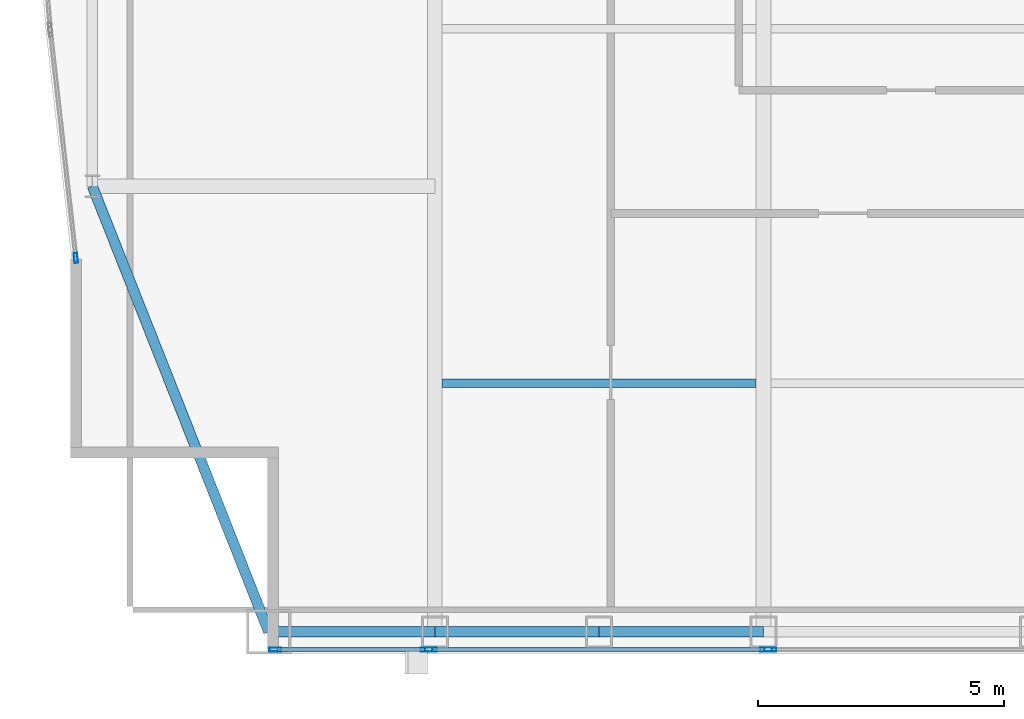
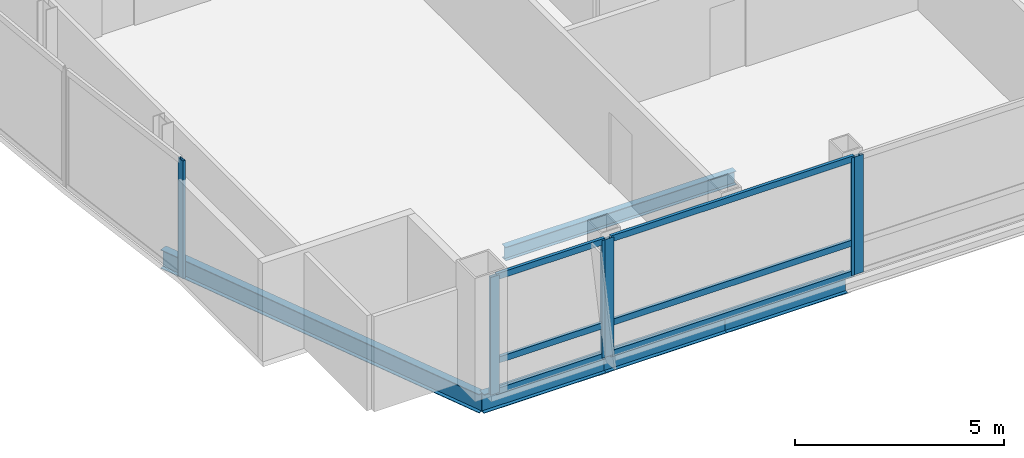
# One storey, part 4 of 25: 12 members, 5 beams, 4 elements without a shape of their own.
"""IFC4 building model written with IfcOpenShell, lengths in metres."""

import ifcopenshell
import ifcopenshell.guid

model = None  # the IFC model being written
_history = None  # IfcOwnerHistory: only IFC2X3 demands one
_inside = {}  # id of a spatial element -> (the spatial element, [elements in it])
_under = {}  # id of a project, library or spatial element -> (it, [spatial elements below it])
_declared = {}  # id of a project -> (the project, [libraries it declares])
_typed = {}  # id of a type object -> (the type object, [elements of that type])
_made_of = {}  # id of a material, layer set ... -> (it, [elements and type objects made of it])


def new_model(schema):
    """Start an empty IFC model of exactly this schema.

    Asked for "IFC4X3", IfcOpenShell would pick the latest addendum, in which some entities
    have other attributes; the version numbers below select the first issue.
    IFC2X3 requires an IfcOwnerHistory on every rooted entity: one is made here for all.
    """
    global model, _history
    if schema == "IFC4X3":
        model = ifcopenshell.file(schema_version=(4, 3, 0, 0))
    else:
        model = ifcopenshell.file(schema=schema)
    _inside.clear()
    _under.clear()
    _declared.clear()
    _typed.clear()
    _made_of.clear()
    _history = None
    if model.schema == "IFC2X3":
        org = make("IfcOrganization", Name="unknown")
        user = make(
            "IfcPersonAndOrganization",
            ThePerson=make("IfcPerson", FamilyName="unknown"),
            TheOrganization=org,
        )
        app = make(
            "IfcApplication",
            ApplicationDeveloper=org,
            Version="unknown",
            ApplicationFullName="unknown",
            ApplicationIdentifier="unknown",
        )
        _history = make(
            "IfcOwnerHistory",
            OwningUser=user,
            OwningApplication=app,
            ChangeAction="ADDED",
            CreationDate=0,
        )
    return model


def make(cls, **values):
    """One entity of the class cls with the attributes given. An attribute that is None is left unset."""
    return model.create_entity(
        cls, **{name: value for name, value in values.items() if value is not None}
    )


def rooted(cls, **values):
    """An entity with a GlobalId (a new one), such as an element, a storey or a relation."""
    return make(cls, GlobalId=ifcopenshell.guid.new(), OwnerHistory=_history, **values)


def si_unit(unit_type, name, prefix=None):
    """IfcSIUnit, for example si_unit("LENGTHUNIT", "METRE", prefix="MILLI")."""
    return make("IfcSIUnit", UnitType=unit_type, Prefix=prefix, Name=name)


def assignment(units):
    """IfcUnitAssignment: the units of a project."""
    return None if units is None else make("IfcUnitAssignment", Units=units)


def point(xyz):
    """IfcCartesianPoint."""
    return None if xyz is None else make("IfcCartesianPoint", Coordinates=xyz)


def direction(xyz):
    """IfcDirection."""
    return None if xyz is None else make("IfcDirection", DirectionRatios=xyz)


def frame(location, z_axis=None, x_axis=None):
    """IfcAxis2Placement3D, a coordinate frame: its origin and axes. An axis left out is left unset."""
    return make(
        "IfcAxis2Placement3D",
        Location=point(location),
        Axis=direction(z_axis),
        RefDirection=direction(x_axis),
    )


def frame_2d(location, x_axis=None):
    """IfcAxis2Placement2D, a coordinate frame in the plane: its origin and x axis."""
    return make(
        "IfcAxis2Placement2D", Location=point(location), RefDirection=direction(x_axis)
    )


def origin():
    """The frame at (0, 0, 0) with its axes left unset."""
    return frame((0.0, 0.0, 0.0))


def origin_2d():
    """The frame at (0, 0) in the plane with its x axis left unset."""
    return frame_2d((0.0, 0.0))


def place(relative_to, where):
    """IfcLocalPlacement: puts the frame where relative to a parent placement (None: the world)."""
    return make(
        "IfcLocalPlacement", PlacementRelTo=relative_to, RelativePlacement=where
    )


def context(
    kind, dimensions, precision=None, world=None, true_north=None, identifier=None
):
    """IfcGeometricRepresentationContext, for example the 3D "Model" context."""
    return make(
        "IfcGeometricRepresentationContext",
        ContextIdentifier=identifier,
        ContextType=kind,
        CoordinateSpaceDimension=dimensions,
        Precision=precision,
        WorldCoordinateSystem=world,
        TrueNorth=true_north,
    )


def subcontext(parent, identifier, kind, view, scale=None):
    """IfcGeometricRepresentationSubContext, for example "Body" below "Model"."""
    return make(
        "IfcGeometricRepresentationSubContext",
        ContextIdentifier=identifier,
        ContextType=kind,
        ParentContext=parent,
        TargetScale=scale,
        TargetView=view,
    )


def project(units=None, contexts=None):
    """IfcProject with its units and contexts."""
    return rooted(
        "IfcProject",
        Name="project",
        RepresentationContexts=contexts,
        UnitsInContext=assignment(units),
    )


def spatial(cls, under=None, at=None, **own):
    """A site, building, storey or space (cls), placed at a placement, below another one or the project."""
    s = rooted(cls, ObjectPlacement=at, **own)
    if under is not None:
        _under.setdefault(under.id(), (under, []))[1].append(s)
    return s


def profile(cls, at=None, kind="AREA", **sizes):
    """A parametric profile (cls). Its sizes go by their IFC names, for example OverallWidth=200.0."""
    return make(cls, ProfileType=kind, Position=at, **sizes)


def hollow_rectangle(**sizes):
    """IfcRectangleHollowProfileDef."""
    return profile("IfcRectangleHollowProfileDef", **sizes)


def i_section(**sizes):
    """IfcIShapeProfileDef."""
    return profile("IfcIShapeProfileDef", **sizes)


def extrude(swept, where, along, depth):
    """IfcExtrudedAreaSolid: the profile swept, set in the frame where, extruded along a direction by depth."""
    return make(
        "IfcExtrudedAreaSolid",
        SweptArea=swept,
        Position=where,
        ExtrudedDirection=direction(along),
        Depth=depth,
    )


def shape(context_of_items, identifier, shape_type, items):
    """IfcShapeRepresentation: the items that make up one representation, for example the "Body"."""
    return make(
        "IfcShapeRepresentation",
        ContextOfItems=context_of_items,
        RepresentationIdentifier=identifier,
        RepresentationType=shape_type,
        Items=items,
    )


def material(Name=None, Category=None):
    """IfcMaterial."""
    return make("IfcMaterial", Name=Name, Category=Category)


def material_profile(
    of_material, cross_section, Name=None, Category=None, Priority=None
):
    """IfcMaterialProfile: a cross section and its material."""
    return make(
        "IfcMaterialProfile",
        Name=Name,
        Material=of_material,
        Profile=cross_section,
        Priority=Priority,
        Category=Category,
    )


def profile_set(profiles, Name=None, composite=None):
    """IfcMaterialProfileSet."""
    return make(
        "IfcMaterialProfileSet",
        Name=Name,
        MaterialProfiles=profiles,
        CompositeProfile=composite,
    )


def made_of(thing, what):
    """Note that an element or type object is made of a material, layer set ...; save() writes the relation."""
    if what is not None:
        _made_of.setdefault(what.id(), (what, []))[1].append(thing)
    return thing


def type_object(cls, material=None, **own):
    """A type object (cls), such as IfcWallType, which elements share."""
    return made_of(rooted(cls, **own), material)


def element(
    cls,
    number,
    at=None,
    inside=None,
    cuts=None,
    type_object=None,
    material=None,
    context=None,
    identifier="Body",
    shape_type=None,
    held_by="IfcProductDefinitionShape",
    body=None,
    shapes=None,
    **own,
):
    """One element of the class cls, such as IfcWall. Its Tag is "e" and its number.

    at: its placement. inside: the storey or other place that contains it. cuts: it is an
    opening in that element (IfcRelVoidsElement). A single representation is given by context,
    identifier, shape_type and body (its items); several are given by shapes. held_by: the class
    of the entity that holds the representations. save() writes the other relations.
    """
    e = rooted(cls, Tag="e%d" % number, ObjectPlacement=at, **own)
    if body is not None:
        shapes = [shape(context, identifier, shape_type, body)]
    if shapes is not None:
        e.Representation = make(held_by, Representations=shapes)
    if inside is not None:
        _inside.setdefault(inside.id(), (inside, []))[1].append(e)
    if cuts is not None:
        rooted(
            "IfcRelVoidsElement", RelatingBuildingElement=cuts, RelatedOpeningElement=e
        )
    if type_object is not None:
        _typed.setdefault(type_object.id(), (type_object, []))[1].append(e)
    return made_of(e, material)


def aggregate(whole, parts):
    """IfcRelAggregates: a whole, such as a stair, and the parts it consists of."""
    return rooted("IfcRelAggregates", RelatingObject=whole, RelatedObjects=parts)


def save(model, path):
    """Write the relations noted so far, then the file.

    IfcRelAggregates (storeys below a building ...), IfcRelContainedInSpatialStructure (elements
    in a storey), IfcRelDefinesByType, IfcRelAssociatesMaterial and IfcRelDeclares: one each for
    every whole, place, type object, material and project.
    """
    for whole, parts in _under.values():
        aggregate(whole, parts)
    for where, things in _inside.values():
        rooted(
            "IfcRelContainedInSpatialStructure",
            RelatedElements=things,
            RelatingStructure=where,
        )
    for kind, things in _typed.values():
        rooted("IfcRelDefinesByType", RelatedObjects=things, RelatingType=kind)
    for what, things in _made_of.values():
        rooted("IfcRelAssociatesMaterial", RelatedObjects=things, RelatingMaterial=what)
    for by, libraries in _declared.values():
        rooted("IfcRelDeclares", RelatingContext=by, RelatedDefinitions=libraries)
    model.write(path)


model = new_model("IFC4")

# Units and contexts
model_context = context("Model", 3, precision=1e-05, world=origin(), true_north=direction((0.0, 1.0)))
body_context = subcontext(model_context, "Body", "Model", "MODEL_VIEW")
ifc_project = project(units=[si_unit("LENGTHUNIT", "METRE"), si_unit("AREAUNIT", "SQUARE_METRE"), si_unit("VOLUMEUNIT", "CUBIC_METRE"), si_unit("PLANEANGLEUNIT", "RADIAN"), si_unit("MASSUNIT", "GRAM", prefix="KILO")], contexts=[model_context])

# Site, building, storey
site_placement = place(None, origin())
site = spatial("IfcSite", under=ifc_project, at=site_placement, CompositionType="ELEMENT")
building_placement = place(site_placement, origin())
building = spatial("IfcBuilding", under=site, at=building_placement, Name="Khoronbel Lancet Exchange", CompositionType="ELEMENT")
storey_placement = place(building_placement, frame((0.0, 0.0, 295.0)))
storey = spatial("IfcBuildingStorey", under=building, at=storey_placement, Name="L76", CompositionType="ELEMENT", Elevation=295.0)

# Beams
ifc_material_1 = material(Name="Steel S355", Category="steel")
ifc_material_profile_1 = material_profile(ifc_material_1, i_section(OverallWidth=0.179931640625, OverallDepth=0.39990234375, WebThickness=0.008544921875, FlangeThickness=0.013427734375, at=origin_2d()), Name="IPE 400")
ifc_profile_set_1 = profile_set([ifc_material_profile_1], Name="Steel S355")
beam_type_1 = type_object("IfcBeamType", Name="BM-BJ5", PredefinedType="JOIST", material=ifc_profile_set_1)
beam_1_placement = place(storey_placement, frame((18.375, 15.199951171875, -0.360107421875), z_axis=(1.0, 0.0, 0.0), x_axis=(0.0, 1.0, 0.0)))
element("IfcBeam", 1, at=beam_1_placement, inside=storey, type_object=beam_type_1, Name="Level L76 secondary composite joist J01", PredefinedType="JOIST", context=body_context, shape_type="SweptSolid", body=[
    extrude(i_section(OverallWidth=0.179931640625, OverallDepth=0.39990234375, WebThickness=0.008544921875, FlangeThickness=0.013427734375, at=origin_2d()), origin(), (0.0, 0.0, 1.0), 6.375),
])
ifc_material_profile_2 = material_profile(ifc_material_1, i_section(OverallWidth=0.2099609375, OverallDepth=0.550048828125, WebThickness=0.010986328125, FlangeThickness=0.01708984375, at=origin_2d()), Name="IPE 550")
ifc_profile_set_2 = profile_set([ifc_material_profile_2], Name="Steel S355")
beam_type_2 = type_object("IfcBeamType", Name="BM-BSP3", PredefinedType="SPANDREL", material=ifc_profile_set_2)
beam_2_placement = place(storey_placement, frame((14.85009765625, 10.14990234375, -0.43505859375), z_axis=(1.0, 0.0, 0.0), x_axis=(0.0, 1.0, 0.0)))
element("IfcBeam", 2, at=beam_2_placement, inside=storey, type_object=beam_type_2, Name="Level L76 perimeter spandrel beam SP01", PredefinedType="SPANDREL", context=body_context, shape_type="SweptSolid", body=[
    extrude(i_section(OverallWidth=0.2099609375, OverallDepth=0.550048828125, WebThickness=0.010986328125, FlangeThickness=0.01708984375, at=origin_2d()), origin(), (0.0, 0.0, 1.0), 3.375),
])
for number, where, z_axis, x_axis, name in (
    (3, (18.22509765625, 10.14990234375, -0.43505859375), (1.0, 0.0, 0.0), (0.0, 1.0, 0.0), "Level L76 perimeter spandrel beam SP02"),
    (4, (21.5625, 10.14990234375, -0.43505859375), (1.0, 0.0, 0.0), (0.0, 1.0, 0.0), "Level L76 perimeter spandrel beam SP03"),
):
    element("IfcBeam", number, at=place(storey_placement, frame(where, z_axis=z_axis, x_axis=x_axis)), inside=storey, type_object=beam_type_2, Name=name, PredefinedType="SPANDREL", context=body_context, shape_type="SweptSolid", body=[
        extrude(i_section(OverallWidth=0.2099609375, OverallDepth=0.550048828125, WebThickness=0.010986328125, FlangeThickness=0.01708984375, at=origin_2d()), origin(), (0.0, 0.0, 1.0), 3.33740234375),
    ])
beam_3_placement = place(storey_placement, frame((11.27001953125, 19.199951171875, -0.43505859375), z_axis=(0.367850095026, -0.92988510451, 0.0), x_axis=(0.92988510451, 0.367850095026, 0.0)))
element("IfcBeam", 5, at=beam_3_placement, inside=storey, type_object=beam_type_2, Name="Level L76 perimeter spandrel beam SP21", PredefinedType="SPANDREL", context=body_context, shape_type="SweptSolid", body=[
    extrude(i_section(OverallWidth=0.2099609375, OverallDepth=0.550048828125, WebThickness=0.010986328125, FlangeThickness=0.01708984375, at=origin_2d()), origin(), (0.0, 0.0, 1.0), 9.732421875),
])

# Curtain wall, members
ifc_material_2 = material(Name="Low-E Solar Control Insulating Glass", Category="glass")
curtain_wall_type_1 = type_object("IfcCurtainWallType", Name="CW-3", PredefinedType="NOTDEFINED", material=ifc_material_2)
curtain_wall_1_placement = place(storey_placement, origin())
curtain_wall_1 = element("IfcCurtainWall", 6, at=curtain_wall_1_placement, inside=storey, type_object=curtain_wall_type_1, Name="Unitised curtain wall CW-L76-SWV", PredefinedType="NOTDEFINED")
ifc_material_3 = material(Name="Bronze-Anodised Aluminium 6063-T6", Category="aluminium")
ifc_material_profile_3 = material_profile(ifc_material_3, hollow_rectangle(XDim=0.0849609375, YDim=0.239990234375, WallThickness=0.006103515625, at=origin_2d()), Name="ALU MULLION 85x240")
ifc_profile_set_3 = profile_set([ifc_material_profile_3], Name="Bronze-Anodised Aluminium 6063-T6")
member_type_1 = type_object("IfcMemberType", Name="MEM-CWM1", PredefinedType="MULLION", material=ifc_profile_set_3)
member_1_placement = place(storey_placement, frame((14.982421875, 9.7900390625, 0.0), z_axis=(0.0, 0.0, 1.0), x_axis=(0.0, 1.0, 0.0)))
member_1 = element("IfcMember", 7, at=member_1_placement, type_object=member_type_1, Name="CW3 mullion 1", PredefinedType="MULLION", context=body_context, shape_type="SweptSolid", body=[
    extrude(hollow_rectangle(XDim=0.0849609375, YDim=0.239990234375, WallThickness=0.006103515625, at=origin_2d()), origin(), (0.0, 0.0, 1.0), 3.43994140625),
])
member_2_placement = place(storey_placement, frame((18.0576171875, 9.7900390625, 0.0), z_axis=(0.0, 0.0, 1.0), x_axis=(0.0, 1.0, 0.0)))
member_2 = element("IfcMember", 8, at=member_2_placement, type_object=member_type_1, Name="CW3 mullion 2", PredefinedType="MULLION", context=body_context, shape_type="SweptSolid", body=[
    extrude(hollow_rectangle(XDim=0.0849609375, YDim=0.239990234375, WallThickness=0.006103515625, at=origin_2d()), origin(), (0.0, 0.0, 1.0), 3.43994140625),
])

curtain_wall_2_placement = place(storey_placement, origin())
curtain_wall_2 = element("IfcCurtainWall", 9, at=curtain_wall_2_placement, inside=storey, type_object=curtain_wall_type_1, Name="Unitised curtain wall CW-L76-SWB", PredefinedType="NOTDEFINED")
member_3_placement = place(storey_placement, frame((18.142578125, 9.7900390625, 0.0), z_axis=(0.0, 0.0, 1.0), x_axis=(0.0, 1.0, 0.0)))
member_3 = element("IfcMember", 10, at=member_3_placement, type_object=member_type_1, Name="CW3 mullion 1", PredefinedType="MULLION", context=body_context, shape_type="SweptSolid", body=[
    extrude(hollow_rectangle(XDim=0.0849609375, YDim=0.239990234375, WallThickness=0.006103515625, at=origin_2d()), origin(), (0.0, 0.0, 1.0), 3.43994140625),
])
member_4_placement = place(storey_placement, frame((24.95751953125, 9.7900390625, 0.0), z_axis=(0.0, 0.0, 1.0), x_axis=(0.0, 1.0, 0.0)))
member_4 = element("IfcMember", 11, at=member_4_placement, type_object=member_type_1, Name="CW3 mullion 2", PredefinedType="MULLION", context=body_context, shape_type="SweptSolid", body=[
    extrude(hollow_rectangle(XDim=0.0849609375, YDim=0.239990234375, WallThickness=0.006103515625, at=origin_2d()), origin(), (0.0, 0.0, 1.0), 3.43994140625),
])

# Curtain wall, member
curtain_wall_3_placement = place(storey_placement, origin())
curtain_wall_3 = element("IfcCurtainWall", 12, at=curtain_wall_3_placement, inside=storey, type_object=curtain_wall_type_1, Name="Unitised curtain wall CW-L76-SCV", PredefinedType="NOTDEFINED")
member_5_placement = place(storey_placement, frame((25.04248046875, 9.7900390625, 0.0), z_axis=(0.0, 0.0, 1.0), x_axis=(0.0, 1.0, 0.0)))
member_5 = element("IfcMember", 13, at=member_5_placement, type_object=member_type_1, Name="CW3 mullion 1", PredefinedType="MULLION", context=body_context, shape_type="SweptSolid", body=[
    extrude(hollow_rectangle(XDim=0.0849609375, YDim=0.239990234375, WallThickness=0.006103515625, at=origin_2d()), origin(), (0.0, 0.0, 1.0), 3.43994140625),
])
aggregate(curtain_wall_3, [member_5])

curtain_wall_type_2 = type_object("IfcCurtainWallType", Name="CW-4", PredefinedType="NOTDEFINED", material=ifc_material_2)
curtain_wall_4_placement = place(storey_placement, origin())
curtain_wall_4 = element("IfcCurtainWall", 14, at=curtain_wall_4_placement, inside=storey, type_object=curtain_wall_type_2, Name="Unitised curtain wall CW-L76-E04", PredefinedType="NOTDEFINED")
ifc_material_profile_4 = material_profile(ifc_material_3, hollow_rectangle(XDim=0.074951171875, YDim=0.199951171875, WallThickness=0.0048828125, at=origin_2d()), Name="ALU MULLION 75x200")
ifc_profile_set_4 = profile_set([ifc_material_profile_4], Name="Bronze-Anodised Aluminium 6063-T6")
member_type_2 = type_object("IfcMemberType", Name="MEM-CWM2", PredefinedType="MULLION", material=ifc_profile_set_4)
member_6_placement = place(storey_placement, frame((10.935791015625, 17.7421875, 0.0), z_axis=(0.0, 0.0, 1.0), x_axis=(-0.993731788903, -0.111790570813, 0.0)))
member_6 = element("IfcMember", 15, at=member_6_placement, type_object=member_type_2, Name="CW4 mullion 1", PredefinedType="MULLION", context=body_context, shape_type="SweptSolid", body=[
    extrude(hollow_rectangle(XDim=0.074951171875, YDim=0.199951171875, WallThickness=0.0048828125, at=origin_2d()), origin(), (0.0, 0.0, 1.0), 3.43994140625),
])
aggregate(curtain_wall_4, [member_6])

# Member
ifc_material_profile_5 = material_profile(ifc_material_3, hollow_rectangle(XDim=0.0849609375, YDim=0.179931640625, WallThickness=0.0048828125, at=origin_2d()), Name="ALU TRANSOM 85x180")
ifc_profile_set_5 = profile_set([ifc_material_profile_5], Name="Bronze-Anodised Aluminium 6063-T6")
member_type_3 = type_object("IfcMemberType", Name="MEM-CWT1", PredefinedType="USERDEFINED", material=ifc_profile_set_5)
member_7_placement = place(storey_placement, frame((15.02490234375, 9.7900390625, 0.04248046875), z_axis=(1.0, 0.0, 0.0), x_axis=(0.0, 1.0, 0.0)))
member_7 = element("IfcMember", 16, at=member_7_placement, type_object=member_type_3, Name="CW3 transom 1.1", ObjectType="TRANSOM", PredefinedType="USERDEFINED", context=body_context, shape_type="SweptSolid", body=[
    extrude(hollow_rectangle(XDim=0.0849609375, YDim=0.179931640625, WallThickness=0.0048828125, at=origin_2d()), origin(), (0.0, 0.0, 1.0), 2.989990234375),
])

member_8_placement = place(storey_placement, frame((15.02490234375, 9.7900390625, 0.949951171875), z_axis=(1.0, 0.0, 0.0), x_axis=(0.0, 1.0, 0.0)))
member_8 = element("IfcMember", 17, at=member_8_placement, type_object=member_type_3, Name="CW3 transom 1.2", ObjectType="TRANSOM", PredefinedType="USERDEFINED", context=body_context, shape_type="SweptSolid", body=[
    extrude(hollow_rectangle(XDim=0.0849609375, YDim=0.179931640625, WallThickness=0.0048828125, at=origin_2d()), origin(), (0.0, 0.0, 1.0), 2.989990234375),
])

member_9_placement = place(storey_placement, frame((15.02490234375, 9.7900390625, 3.3974609375), z_axis=(1.0, 0.0, 0.0), x_axis=(0.0, 1.0, 0.0)))
member_9 = element("IfcMember", 18, at=member_9_placement, type_object=member_type_3, Name="CW3 transom 1.3", ObjectType="TRANSOM", PredefinedType="USERDEFINED", context=body_context, shape_type="SweptSolid", body=[
    extrude(hollow_rectangle(XDim=0.0849609375, YDim=0.179931640625, WallThickness=0.0048828125, at=origin_2d()), origin(), (0.0, 0.0, 1.0), 2.989990234375),
])

aggregate(curtain_wall_1, [member_1, member_2, member_7, member_8, member_9])

member_10_placement = place(storey_placement, frame((18.18505859375, 9.7900390625, 0.04248046875), z_axis=(1.0, 0.0, 0.0), x_axis=(0.0, 1.0, 0.0)))
member_10 = element("IfcMember", 19, at=member_10_placement, type_object=member_type_3, Name="CW3 transom 1.1", ObjectType="TRANSOM", PredefinedType="USERDEFINED", context=body_context, shape_type="SweptSolid", body=[
    extrude(hollow_rectangle(XDim=0.0849609375, YDim=0.179931640625, WallThickness=0.0048828125, at=origin_2d()), origin(), (0.0, 0.0, 1.0), 6.72998046875),
])

member_11_placement = place(storey_placement, frame((18.18505859375, 9.7900390625, 0.949951171875), z_axis=(1.0, 0.0, 0.0), x_axis=(0.0, 1.0, 0.0)))
member_11 = element("IfcMember", 20, at=member_11_placement, type_object=member_type_3, Name="CW3 transom 1.2", ObjectType="TRANSOM", PredefinedType="USERDEFINED", context=body_context, shape_type="SweptSolid", body=[
    extrude(hollow_rectangle(XDim=0.0849609375, YDim=0.179931640625, WallThickness=0.0048828125, at=origin_2d()), origin(), (0.0, 0.0, 1.0), 6.72998046875),
])

member_12_placement = place(storey_placement, frame((18.18505859375, 9.7900390625, 3.3974609375), z_axis=(1.0, 0.0, 0.0), x_axis=(0.0, 1.0, 0.0)))
member_12 = element("IfcMember", 21, at=member_12_placement, type_object=member_type_3, Name="CW3 transom 1.3", ObjectType="TRANSOM", PredefinedType="USERDEFINED", context=body_context, shape_type="SweptSolid", body=[
    extrude(hollow_rectangle(XDim=0.0849609375, YDim=0.179931640625, WallThickness=0.0048828125, at=origin_2d()), origin(), (0.0, 0.0, 1.0), 6.72998046875),
])

aggregate(curtain_wall_2, [member_3, member_4, member_10, member_11, member_12])

save(model, "model.ifc")
